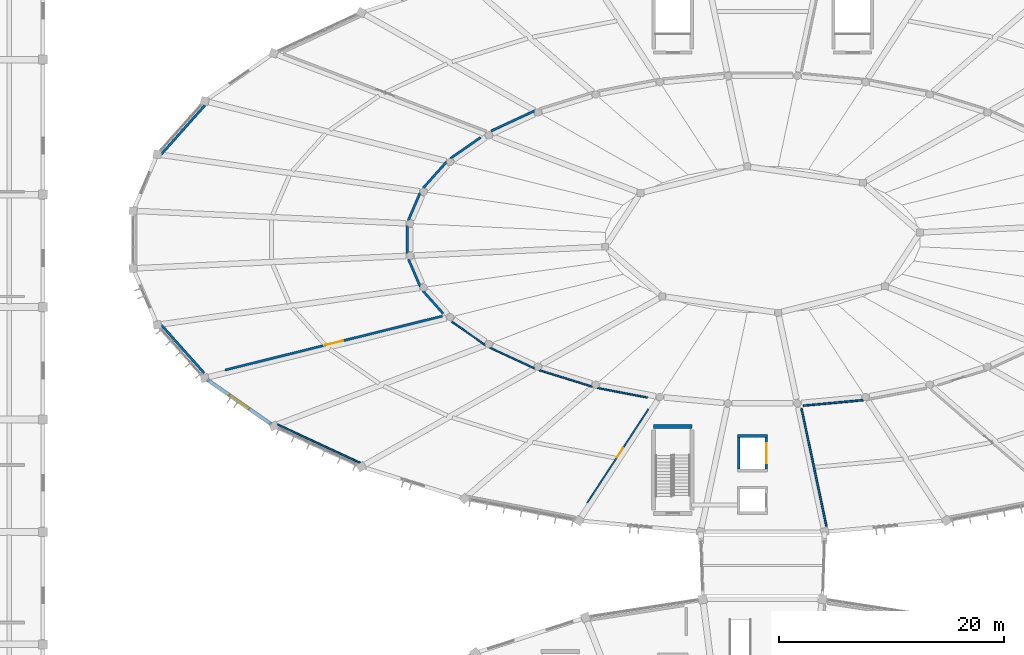
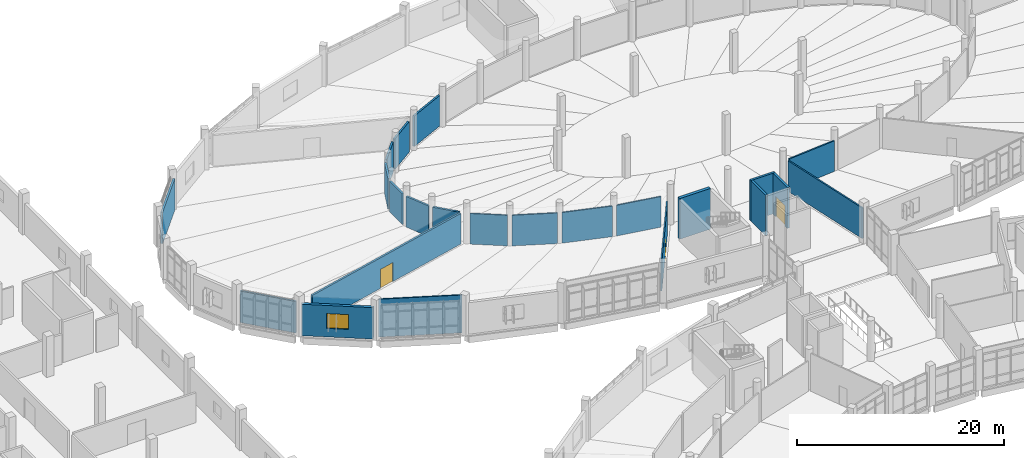
# One storey, part 121 of 179: 23 walls, 3 doors, 1 window, 4 openings.
"""IFC4 building model written with IfcOpenShell, lengths in metres."""

from ifc_helpers import new_model, si_unit, direction, frame, frame_2d, origin, place, context, subcontext, project, spatial, rectangle, extrude, material, layer, layer_set, type_object, element, fill, save


model = new_model("IFC4")

# Units and contexts
model_context = context("Model", 3, precision=1e-05, world=origin(), true_north=direction((0.0, 1.0)))
body_context = subcontext(model_context, "Body", "Model", "MODEL_VIEW")
ifc_project = project(units=[si_unit("LENGTHUNIT", "METRE"), si_unit("AREAUNIT", "SQUARE_METRE"), si_unit("VOLUMEUNIT", "CUBIC_METRE"), si_unit("PLANEANGLEUNIT", "RADIAN"), si_unit("MASSUNIT", "GRAM", prefix="KILO")], contexts=[model_context])

# Site, building, storey
site_placement = place(None, origin())
site = spatial("IfcSite", under=ifc_project, at=site_placement, CompositionType="ELEMENT")
building_placement = place(site_placement, origin())
building = spatial("IfcBuilding", under=site, at=building_placement, Name="Corvandel Quay Wholesale Market", CompositionType="ELEMENT")
storey_placement = place(building_placement, frame((0.0, 0.0, 6.0)))
storey = spatial("IfcBuildingStorey", under=building, at=storey_placement, Name="L01", CompositionType="ELEMENT", Elevation=6.0)

# Walls
ifc_material_1 = material(Name="Concrete C40/50", Category="concrete")
ifc_layer_1 = layer(ifc_material_1, 0.35009765625)
ifc_layer_set_1 = layer_set([ifc_layer_1], Name="Concrete C40/50")
wall_type_1 = type_object("IfcWallType", Name="Core Shear Wall SW01 350", PredefinedType="SHEAR", material=ifc_layer_set_1)
wall_1_placement = place(storey_placement, frame((104.27490234375, 99.375, 0.0), z_axis=(0.0, 0.0, 1.0), x_axis=(1.0, 0.0, 0.0)))
element("IfcWall", 1, at=wall_1_placement, inside=storey, type_object=wall_type_1, Name="Shear Wall IW-0054", PredefinedType="SHEAR", context=body_context, shape_type="SweptSolid", body=[
    extrude(rectangle(XDim=3.4501953125, YDim=0.35009765625, at=frame_2d((1.72509765625, 0.0))), origin(), (0.0, 0.0, 1.0), 4.800048828125),
])
ifc_material_2 = material(Name="Gypsum-clad steel stud framing", Category="steel")
ifc_layer_2 = layer(ifc_material_2, 0.2099609375)
ifc_layer_set_2 = layer_set([ifc_layer_2], Name="Gypsum-clad steel stud framing")
wall_type_2 = type_object("IfcWallType", Name="Corridor Rated Partition PT02 210", PredefinedType="PARTITIONING", material=ifc_layer_set_2)
wall_2_placement = place(storey_placement, frame((93.728515625, 127.46337890625, 0.0), z_axis=(0.0, 0.0, 1.0), x_axis=(-0.90717786227, -0.420747342484, 0.0)))
element("IfcWall", 2, at=wall_2_placement, inside=storey, type_object=wall_type_2, Name="Interior Wall IW-0630", PredefinedType="PARTITIONING", context=body_context, shape_type="SweptSolid", body=[
    extrude(rectangle(XDim=4.296875, YDim=0.2099609375, at=frame_2d((2.1484375, 0.0))), origin(), (0.0, 0.0, 1.0), 3.610107421875),
])
wall_3_placement = place(storey_placement, frame((60.5205078125, 123.607177734375, 0.0), z_axis=(0.0, 0.0, 1.0), x_axis=(0.665746000237, 0.746178439228, 0.0)))
element("IfcWall", 3, at=wall_3_placement, inside=storey, type_object=wall_type_2, Name="Interior Wall IW-0634", PredefinedType="PARTITIONING", context=body_context, shape_type="SweptSolid", body=[
    extrude(rectangle(XDim=5.827880859375, YDim=0.2099609375, at=frame_2d((2.9140625, 0.0))), origin(), (0.0, 0.0, 1.0), 3.7099609375),
])
wall_4_placement = place(storey_placement, frame((88.9072265625, 125.08740234375, 0.0), z_axis=(0.0, 0.0, 1.0), x_axis=(-0.821140794794, -0.570725674143, 0.0)))
element("IfcWall", 4, at=wall_4_placement, inside=storey, type_object=wall_type_2, Name="Interior Wall IW-0635", PredefinedType="PARTITIONING", context=body_context, shape_type="SweptSolid", body=[
    extrude(rectangle(XDim=3.27294921875, YDim=0.2099609375, at=frame_2d((1.636474609375, 0.0))), origin(), (0.0, 0.0, 1.0), 3.610107421875),
])
wall_5_placement = place(storey_placement, frame((85.892578125, 122.929931640625, 0.0), z_axis=(0.0, 0.0, 1.0), x_axis=(-0.666082095966, -0.745878436096, 0.0)))
element("IfcWall", 5, at=wall_5_placement, inside=storey, type_object=wall_type_2, Name="Interior Wall IW-0636", PredefinedType="PARTITIONING", context=body_context, shape_type="SweptSolid", body=[
    extrude(rectangle(XDim=3.145263671875, YDim=0.2099609375, at=frame_2d((1.57275390625, 0.0))), origin(), (0.0, 0.0, 1.0), 3.610107421875),
])
wall_6_placement = place(storey_placement, frame((83.519775390625, 120.146484375, 0.0), z_axis=(0.0, 0.0, 1.0), x_axis=(-0.39239535141, -0.919796655893, 0.0)))
element("IfcWall", 6, at=wall_6_placement, inside=storey, type_object=wall_type_2, Name="Interior Wall IW-0637", PredefinedType="PARTITIONING", context=body_context, shape_type="SweptSolid", body=[
    extrude(rectangle(XDim=2.669189453125, YDim=0.2099609375, at=frame_2d((1.33447265625, 0.0))), origin(), (0.0, 0.0, 1.0), 3.610107421875),
])
wall_7_placement = place(storey_placement, frame((82.385498046875, 117.26904296875, 0.0), z_axis=(0.0, 0.0, 1.0), x_axis=(-0.001966371186, -0.99999806669, 0.0)))
element("IfcWall", 7, at=wall_7_placement, inside=storey, type_object=wall_type_2, Name="Interior Wall IW-0638", PredefinedType="PARTITIONING", context=body_context, shape_type="SweptSolid", body=[
    extrude(rectangle(XDim=2.483154296875, YDim=0.2099609375, at=frame_2d((1.24169921875, 0.0))), origin(), (0.0, 0.0, 1.0), 3.610107421875),
])
wall_8_placement = place(storey_placement, frame((82.488037109375, 114.261962890625, 0.0), z_axis=(0.0, 0.0, 1.0), x_axis=(0.395440155108, -0.918491743963, 0.0)))
element("IfcWall", 8, at=wall_8_placement, inside=storey, type_object=wall_type_2, Name="Interior Wall IW-0639", PredefinedType="PARTITIONING", context=body_context, shape_type="SweptSolid", body=[
    extrude(rectangle(XDim=2.672607421875, YDim=0.2099609375, at=frame_2d((1.33642578125, 0.0))), origin(), (0.0, 0.0, 1.0), 3.610107421875),
])
wall_9_placement = place(storey_placement, frame((83.7783203125, 111.440673828125, 0.0), z_axis=(0.0, 0.0, 1.0), x_axis=(0.665185048373, -0.746678546244, 0.0)))
element("IfcWall", 9, at=wall_9_placement, inside=storey, type_object=wall_type_2, Name="Interior Wall IW-0640", PredefinedType="PARTITIONING", context=body_context, shape_type="SweptSolid", body=[
    extrude(rectangle(XDim=2.711181640625, YDim=0.2099609375, at=frame_2d((1.35546875, 0.0))), origin(), (0.0, 0.0, 1.0), 3.610107421875),
])

# Wall, opening, door
wall_10_placement = place(storey_placement, frame((85.514404296875, 109.198974609375, 0.0), z_axis=(0.0, 0.0, 1.0), x_axis=(-0.970551920124, -0.240892030469, 0.0)))
wall_10 = element("IfcWall", 10, at=wall_10_placement, inside=storey, type_object=wall_type_2, Name="Interior Wall IW-0641", PredefinedType="PARTITIONING", context=body_context, shape_type="SweptSolid", body=[
    extrude(rectangle(XDim=19.926025390625, YDim=0.2099609375, at=frame_2d((9.962890625, 0.0))), origin(), (0.0, 0.0, 1.0), 3.610107421875),
])
opening_1_placement = place(wall_10_placement, frame((9.113037109375, 0.0, 0.0)))
opening_1 = element("IfcOpeningElement", 11, at=opening_1_placement, cuts=wall_10, Name="Opening L01-D042", PredefinedType="OPENING", context=body_context, shape_type="SweptSolid", body=[
    extrude(rectangle(XDim=1.64990234375, YDim=2.25, at=frame_2d((0.824951171875, 1.125))), frame((0.0, 0.114990234375, 0.0), z_axis=(0.0, -1.0, 0.0), x_axis=(1.0, 0.0, 0.0)), (0.0, 0.0, 1.0), 0.22998046875),
])
ifc_material_3 = material(Name="HPL-faced hygienic timber core", Category="wood")
door_type_1 = type_object("IfcDoorType", Name="Laboratory Double Door ID08 1650x2250", OperationType="DOUBLE_DOOR_SINGLE_SWING", PredefinedType="DOOR", material=ifc_material_3)
door_1_placement = place(opening_1_placement, origin())
door_1 = element("IfcDoor", 12, at=door_1_placement, inside=storey, type_object=door_type_1, Name="Marine Veterinary Inspection Laboratory Door", OperationType="DOUBLE_DOOR_SINGLE_SWING", OverallHeight=2.25, OverallWidth=1.64990234375, PredefinedType="DOOR", context=body_context, shape_type="SweptSolid", body=[
    extrude(rectangle(XDim=1.64990234375, YDim=2.25, at=frame_2d((0.824951171875, 1.125))), frame((0.0, 0.02490234375, 0.0), z_axis=(0.0, -1.0, 0.0), x_axis=(1.0, 0.0, 0.0)), (0.0, 0.0, 1.0), 0.050048828125),
])
fill(opening_1, door_1)

# Wall
wall_11_placement = place(storey_placement, frame((64.31640625, 104.13818359375, 0.0), z_axis=(0.0, 0.0, 1.0), x_axis=(-0.665734077327, 0.746189076767, 0.0)))
element("IfcWall", 13, at=wall_11_placement, inside=storey, type_object=wall_type_2, Name="Interior Wall IW-0642", PredefinedType="PARTITIONING", context=body_context, shape_type="SweptSolid", body=[
    extrude(rectangle(XDim=5.701904296875, YDim=0.2099609375, at=frame_2d((2.85107421875, 0.0))), origin(), (0.0, 0.0, 1.0), 3.7099609375),
])

# Wall, opening, window
ifc_material_4 = material(Name="Marine precast concrete C45/55", Category="concrete")
ifc_layer_3 = layer(ifc_material_4, 0.31005859375)
ifc_layer_set_3 = layer_set([ifc_layer_3], Name="Marine precast concrete C45/55")
wall_type_3 = type_object("IfcWallType", Name="Fish Hall Marine Precast Wall EW06 310", PredefinedType="SOLIDWALL", material=ifc_layer_set_3)
wall_12_placement = place(storey_placement, frame((64.570068359375, 103.547119140625, 0.0), z_axis=(0.0, 0.0, 1.0), x_axis=(0.821263481182, -0.57054911662, 0.0)))
wall_12 = element("IfcWall", 14, at=wall_12_placement, inside=storey, type_object=wall_type_3, Name="Exterior Wall EW-0128", PredefinedType="SOLIDWALL", context=body_context, shape_type="SweptSolid", body=[
    extrude(rectangle(XDim=6.98291015625, YDim=0.31005859375, at=frame_2d((3.491455078125, 0.0))), origin(), (0.0, 0.0, 1.0), 3.7099609375),
])
opening_2_placement = place(wall_12_placement, frame((2.44091796875, 0.0, 1.0)))
opening_2 = element("IfcOpeningElement", 15, at=opening_2_placement, cuts=wall_12, Name="Opening L01-W038", PredefinedType="OPENING", context=body_context, shape_type="SweptSolid", body=[
    extrude(rectangle(XDim=2.10009765625, YDim=1.75, at=frame_2d((1.050048828125, 0.875))), frame((0.0, 0.1650390625, 0.0), z_axis=(0.0, -1.0, 0.0), x_axis=(1.0, 0.0, 0.0)), (0.0, 0.0, 1.0), 0.330078125),
])
ifc_material_5 = material(Name="Thermally broken bronze anodised aluminium and solar-control low-E double glazing", Category="aluminium")
window_type = type_object("IfcWindowType", Name="Seafood Traders Window WN09 2100x1750", PartitioningType="SINGLE_PANEL", PredefinedType="WINDOW", material=ifc_material_5)
window_placement = place(opening_2_placement, origin())
window = element("IfcWindow", 16, at=window_placement, inside=storey, type_object=window_type, Name="Window L01-W038", OverallHeight=1.75, OverallWidth=2.10009765625, PartitioningType="SINGLE_PANEL", PredefinedType="WINDOW", context=body_context, shape_type="SweptSolid", body=[
    extrude(rectangle(XDim=2.10009765625, YDim=1.75, at=frame_2d((1.050048828125, 0.875))), frame((0.0, 0.030029296875, 0.0), z_axis=(0.0, -1.0, 0.0), x_axis=(1.0, 0.0, 0.0)), (0.0, 0.0, 1.0), 0.06005859375),
])
fill(opening_2, window)

# Walls
ifc_layer_4 = layer(ifc_material_1, 0.25)
ifc_layer_set_4 = layer_set([ifc_layer_4], Name="Concrete C40/50")
wall_type_4 = type_object("IfcWallType", Name="Lift Shaft Shear Wall SW03 250", PredefinedType="SHEAR", material=ifc_layer_set_4)
wall_13_placement = place(storey_placement, frame((111.75, 98.52490234375, 0.0), z_axis=(0.0, 0.0, 1.0), x_axis=(1.0, 0.0, 0.0)))
element("IfcWall", 17, at=wall_13_placement, inside=storey, type_object=wall_type_4, Name="Shear Wall IW-0282", PredefinedType="SHEAR", context=body_context, shape_type="SweptSolid", body=[
    extrude(rectangle(XDim=2.699951171875, YDim=0.25, at=frame_2d((1.35009765625, 0.0))), origin(), (0.0, 0.0, 1.0), 4.800048828125),
])
wall_14_placement = place(storey_placement, frame((111.875, 95.590087890625, 0.0), z_axis=(0.0, 0.0, 1.0), x_axis=(0.0, 1.0, 0.0)))
element("IfcWall", 18, at=wall_14_placement, inside=storey, type_object=wall_type_4, Name="Shear Wall IW-0283", PredefinedType="SHEAR", context=body_context, shape_type="SweptSolid", body=[
    extrude(rectangle(XDim=2.81982421875, YDim=0.25, at=frame_2d((1.409912109375, 0.0))), origin(), (0.0, 0.0, 1.0), 4.800048828125),
])

# Wall, opening, door
wall_15_placement = place(storey_placement, frame((114.324951171875, 95.590087890625, 0.0), z_axis=(0.0, 0.0, 1.0), x_axis=(0.0, 1.0, 0.0)))
wall_15 = element("IfcWall", 19, at=wall_15_placement, inside=storey, type_object=wall_type_4, Name="Shear Wall IW-0284", PredefinedType="SHEAR", context=body_context, shape_type="SweptSolid", body=[
    extrude(rectangle(XDim=2.81982421875, YDim=0.25, at=frame_2d((1.409912109375, 0.0))), origin(), (0.0, 0.0, 1.0), 4.800048828125),
])
opening_3_placement = place(wall_15_placement, frame((0.510009765625, 0.0, 0.0)))
opening_3 = element("IfcOpeningElement", 20, at=opening_3_placement, cuts=wall_15, Name="Opening LD-L01-025", PredefinedType="OPENING", context=body_context, shape_type="SweptSolid", body=[
    extrude(rectangle(XDim=1.800048828125, YDim=2.39990234375, at=frame_2d((0.89990234375, 1.199951171875))), frame((0.0, 0.135009765625, 0.0), z_axis=(0.0, -1.0, 0.0), x_axis=(1.0, 0.0, 0.0)), (0.0, 0.0, 1.0), 0.27001953125),
])
ifc_material_6 = material(Name="Heavy-duty brushed stainless steel", Category="steel")
door_type_2 = type_object("IfcDoorType", Name="Goods Lift Landing Door LD02 1800x2400", OperationType="DOUBLE_DOOR_SLIDING", PredefinedType="DOOR", material=ifc_material_6)
door_2_placement = place(opening_3_placement, origin())
door_2 = element("IfcDoor", 21, at=door_2_placement, inside=storey, type_object=door_type_2, Name="Lift Landing Door LF-V2F1-L01", OperationType="DOUBLE_DOOR_SLIDING", OverallHeight=2.39990234375, OverallWidth=1.800048828125, PredefinedType="DOOR", context=body_context, shape_type="SweptSolid", body=[
    extrude(rectangle(XDim=1.800048828125, YDim=2.39990234375, at=frame_2d((0.89990234375, 1.199951171875))), frame((0.0, 0.02490234375, 0.0), z_axis=(0.0, -1.0, 0.0), x_axis=(1.0, 0.0, 0.0)), (0.0, 0.0, 1.0), 0.050048828125),
])
fill(opening_3, door_2)

# Walls
ifc_material_7 = material(Name="Double-layer acoustic gypsum stud partition")
ifc_layer_5 = layer(ifc_material_7, 0.139892578125)
ifc_layer_set_5 = layer_set([ifc_layer_5], Name="Double-layer acoustic gypsum stud partition")
wall_type_5 = type_object("IfcWallType", Name="Office Acoustic Partition PT07 140", PredefinedType="PARTITIONING", material=ifc_layer_set_5)
wall_16_placement = place(storey_placement, frame((78.196533203125, 96.1396484375, 0.0), z_axis=(0.0, 0.0, 1.0), x_axis=(-0.906998714148, 0.421133390429, 0.0)))
element("IfcWall", 22, at=wall_16_placement, inside=storey, type_object=wall_type_5, Name="Interior Wall IW-0643", PredefinedType="PARTITIONING", context=body_context, shape_type="SweptSolid", body=[
    extrude(rectangle(XDim=8.1201171875, YDim=0.139892578125, at=frame_2d((4.06005859375, 0.0))), origin(), (0.0, 0.0, 1.0), 4.4599609375),
])
wall_17_placement = place(storey_placement, frame((86.337646484375, 108.696533203125, 0.0), z_axis=(0.0, 0.0, 1.0), x_axis=(0.821521549605, -0.570177466702, 0.0)))
element("IfcWall", 23, at=wall_17_placement, inside=storey, type_object=wall_type_5, Name="Interior Wall IW-0644", PredefinedType="PARTITIONING", context=body_context, shape_type="SweptSolid", body=[
    extrude(rectangle(XDim=3.646484375, YDim=0.139892578125, at=frame_2d((1.8232421875, 0.0))), origin(), (0.0, 0.0, 1.0), 3.610107421875),
])
wall_18_placement = place(storey_placement, frame((89.71337890625, 106.3994140625, 0.0), z_axis=(0.0, 0.0, 1.0), x_axis=(0.906993827143, -0.421143915455, 0.0)))
element("IfcWall", 24, at=wall_18_placement, inside=storey, type_object=wall_type_5, Name="Interior Wall IW-0645", PredefinedType="PARTITIONING", context=body_context, shape_type="SweptSolid", body=[
    extrude(rectangle(XDim=4.3994140625, YDim=0.139892578125, at=frame_2d((2.19970703125, 0.0))), origin(), (0.0, 0.0, 1.0), 3.610107421875),
])
wall_19_placement = place(storey_placement, frame((94.113037109375, 104.388671875, 0.0), z_axis=(0.0, 0.0, 1.0), x_axis=(0.954956702237, -0.296745171575, 0.0)))
element("IfcWall", 25, at=wall_19_placement, inside=storey, type_object=wall_type_5, Name="Interior Wall IW-0646", PredefinedType="PARTITIONING", context=body_context, shape_type="SweptSolid", body=[
    extrude(rectangle(XDim=4.9716796875, YDim=0.139892578125, at=frame_2d((2.48583984375, 0.0))), origin(), (0.0, 0.0, 1.0), 3.610107421875),
])
wall_20_placement = place(storey_placement, frame((99.287109375, 102.806396484375, 0.0), z_axis=(0.0, 0.0, 1.0), x_axis=(0.98197228339, -0.189024957756, 0.0)))
element("IfcWall", 26, at=wall_20_placement, inside=storey, type_object=wall_type_5, Name="Interior Wall IW-0647", PredefinedType="PARTITIONING", context=body_context, shape_type="SweptSolid", body=[
    extrude(rectangle(XDim=4.53857421875, YDim=0.139892578125, at=frame_2d((2.269287109375, 0.0))), origin(), (0.0, 0.0, 1.0), 3.610107421875),
])

# Wall, opening, door
wall_21_placement = place(storey_placement, frame((103.839599609375, 100.9248046875, 0.0), z_axis=(0.0, 0.0, 1.0), x_axis=(-0.546952247524, -0.837163806509, 0.0)))
wall_21 = element("IfcWall", 27, at=wall_21_placement, inside=storey, type_object=wall_type_5, Name="Interior Wall IW-0648", PredefinedType="PARTITIONING", context=body_context, shape_type="SweptSolid", body=[
    extrude(rectangle(XDim=9.9638671875, YDim=0.139892578125, at=frame_2d((4.98193359375, 0.0))), origin(), (0.0, 0.0, 1.0), 3.610107421875),
])
opening_4_placement = place(wall_21_placement, frame((4.132080078125, 0.0, 0.0)))
opening_4 = element("IfcOpeningElement", 28, at=opening_4_placement, cuts=wall_21, Name="Opening L01-D043", PredefinedType="OPENING", context=body_context, shape_type="SweptSolid", body=[
    extrude(rectangle(XDim=1.0, YDim=2.199951171875, at=frame_2d((0.5, 1.10009765625))), frame((0.0, 0.079833984375, 0.0), z_axis=(0.0, -1.0, 0.0), x_axis=(1.0, 0.0, 0.0)), (0.0, 0.0, 1.0), 0.159912109375),
])
ifc_material_8 = material(Name="Stained oak solid-core acoustic timber", Category="wood")
door_type_3 = type_object("IfcDoorType", Name="Office Entry Door ID10 1000x2200R", OperationType="SINGLE_SWING_RIGHT", PredefinedType="DOOR", material=ifc_material_8)
door_3_placement = place(opening_4_placement, origin())
door_3 = element("IfcDoor", 29, at=door_3_placement, inside=storey, type_object=door_type_3, Name="Seafood Wholesale Traders Office Door", OperationType="SINGLE_SWING_RIGHT", OverallHeight=2.199951171875, OverallWidth=1.0, PredefinedType="DOOR", context=body_context, shape_type="SweptSolid", body=[
    extrude(rectangle(XDim=1.0, YDim=2.199951171875, at=frame_2d((0.5, 1.10009765625))), frame((0.0, 0.02490234375, 0.0), z_axis=(0.0, -1.0, 0.0), x_axis=(1.0, 0.0, 0.0)), (0.0, 0.0, 1.0), 0.050048828125),
])
fill(opening_4, door_3)

# Walls
ifc_material_9 = material(Name="Moisture-resistant tile-backer partition")
ifc_layer_6 = layer(ifc_material_9, 0.159912109375)
ifc_layer_set_6 = layer_set([ifc_layer_6], Name="Moisture-resistant tile-backer partition")
wall_type_6 = type_object("IfcWallType", Name="Sanitary Tile Partition PT06 160", PredefinedType="PARTITIONING", material=ifc_layer_set_6)
wall_22_placement = place(storey_placement, frame((117.623046875, 101.228271484375, 0.0), z_axis=(0.0, 0.0, 1.0), x_axis=(0.995762119304, 0.091966307736, 0.0)))
element("IfcWall", 30, at=wall_22_placement, inside=storey, type_object=wall_type_6, Name="Interior Wall IW-0650", PredefinedType="PARTITIONING", context=body_context, shape_type="SweptSolid", body=[
    extrude(rectangle(XDim=5.3544921875, YDim=0.159912109375, at=frame_2d((2.67724609375, 0.0))), origin(), (0.0, 0.0, 1.0), 3.610107421875),
])
wall_23_placement = place(storey_placement, frame((119.676513671875, 90.4951171875, 0.0), z_axis=(0.0, 0.0, 1.0), x_axis=(-0.207504208355, 0.978234125102, 0.0)))
element("IfcWall", 31, at=wall_23_placement, inside=storey, type_object=wall_type_6, Name="Interior Wall IW-0654", PredefinedType="PARTITIONING", context=body_context, shape_type="SweptSolid", body=[
    extrude(rectangle(XDim=10.7314453125, YDim=0.159912109375, at=frame_2d((5.36572265625, 0.0))), origin(), (0.0, 0.0, 1.0), 3.610107421875),
])

save(model, "model.ifc")
